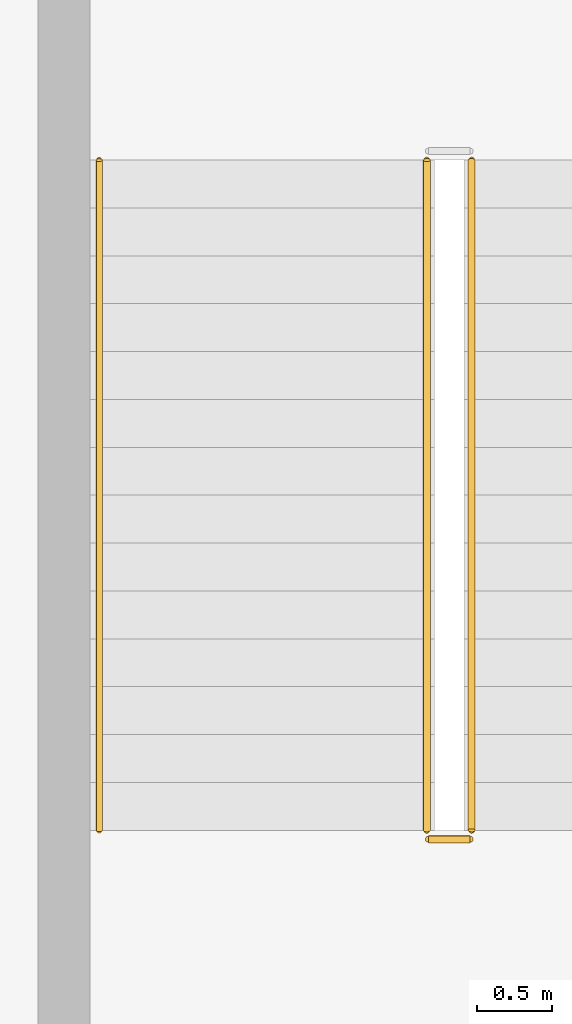
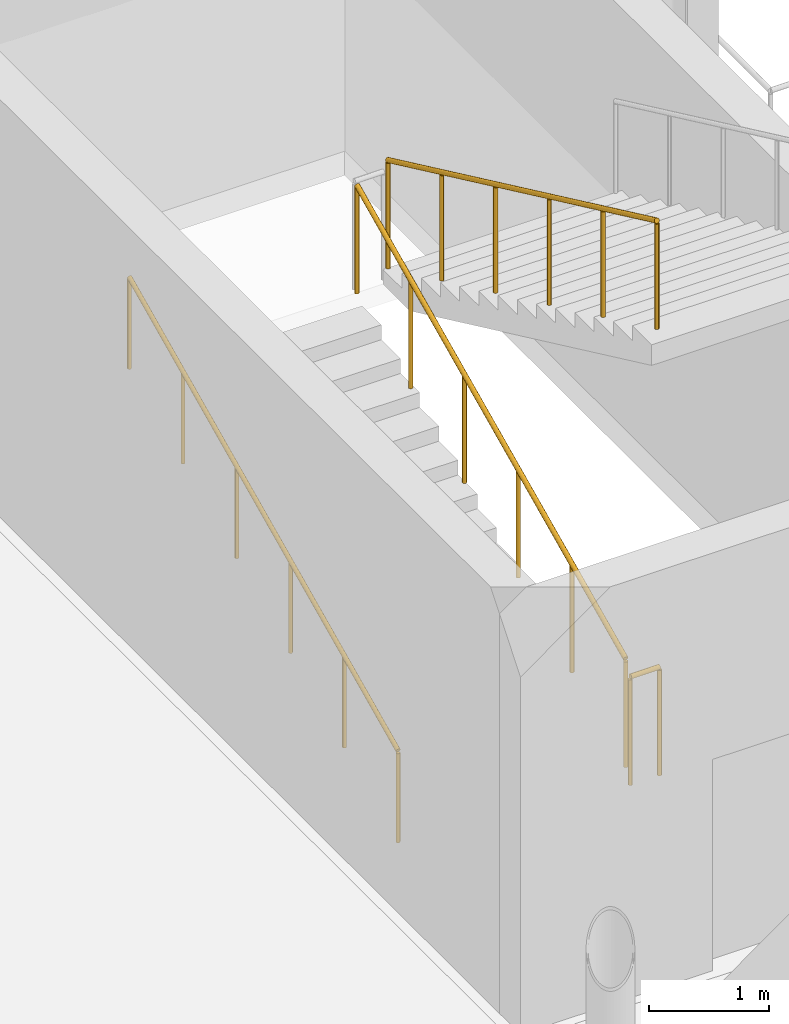
# One storey, part 75 of 91: 4 railings, 1 element without a shape of its own.
"""IFC4 building model written with IfcOpenShell, lengths in metres."""

from ifc_helpers import new_model, si_unit, direction, frame, origin, origin_2d, place, context, subcontext, project, spatial, circle, extrude, material, type_object, element, aggregate, save


model = new_model("IFC4")

# Units and contexts
model_context = context("Model", 3, precision=1e-05, world=origin(), true_north=direction((0.0, 1.0)))
body_context = subcontext(model_context, "Body", "Model", "MODEL_VIEW")
ifc_project = project(units=[si_unit("LENGTHUNIT", "METRE"), si_unit("AREAUNIT", "SQUARE_METRE"), si_unit("VOLUMEUNIT", "CUBIC_METRE"), si_unit("PLANEANGLEUNIT", "RADIAN"), si_unit("MASSUNIT", "GRAM", prefix="KILO")], contexts=[model_context])

# Site, building, storey
site_placement = place(None, origin())
site = spatial("IfcSite", under=ifc_project, at=site_placement, CompositionType="ELEMENT")
building_placement = place(site_placement, origin())
building = spatial("IfcBuilding", under=site, at=building_placement, Name="Kolvaren Corner Interchange", CompositionType="ELEMENT")
storey_placement = place(building_placement, frame((0.0, 0.0, 6.0)))
storey = spatial("IfcBuildingStorey", under=building, at=storey_placement, Name="L02", CompositionType="ELEMENT", Elevation=6.0)

# Railing
ifc_material_1 = material(Name="Powder-Coated Steel Stairwell Guardrail", Category="steel")
railing_type_1 = type_object("IfcRailingType", Name="RLT-STAIR-GRD1120", PredefinedType="GUARDRAIL", material=ifc_material_1)
railing_1_placement = place(storey_placement, frame((62.610107421875, 29.090087890625, 0.0)))
element("IfcRailing", 1, at=railing_1_placement, inside=storey, type_object=railing_type_1, Name="Core C3 West Concourse Transfer Stair L02 Landing Edge Guardrail", PredefinedType="GUARDRAIL", context=body_context, shape_type="SweptSolid", body=[
    extrude(circle(Radius=0.02392578125, at=origin_2d()), frame((0.0, 0.0, 1.09619140625), z_axis=(1.0, 0.0, 0.0), x_axis=(0.0, 1.0, 0.0)), (0.0, 0.0, 1.0), 0.27978515625),
    extrude(circle(Radius=0.02001953125, at=origin_2d()), origin(), (0.0, 0.0, 1.0), 1.072021484375),
    extrude(circle(Radius=0.02001953125, at=origin_2d()), frame((0.27978515625, 0.0, 0.0)), (0.0, 0.0, 1.0), 1.072021484375),
])

# Stair, railings
ifc_material_2 = material(Name="Concrete C35/45", Category="concrete")
stair_type = type_object("IfcStairType", Name="ST-TR-2300", PredefinedType="HALF_TURN_STAIR", material=ifc_material_2)
stair_placement = place(storey_placement, origin())
stair = element("IfcStair", 2, at=stair_placement, inside=storey, type_object=stair_type, Name="Core C3 West Concourse Transfer Stair L02 to L03 Stair", PredefinedType="HALF_TURN_STAIR")
railing_2_placement = place(storey_placement, frame((62.60009765625, 29.14990234375, 0.14990234375)))
railing_2 = element("IfcRailing", 3, at=railing_2_placement, type_object=railing_type_1, Name="Core C3 West Concourse Transfer Stair L02 Lower Flight Well Guardrail", PredefinedType="GUARDRAIL", context=body_context, shape_type="SweptSolid", body=[
    extrude(circle(Radius=0.02392578125, at=origin_2d()), frame((0.0, 0.0, 1.09619140625), z_axis=(0.0, 0.905450639465, 0.424451574969), x_axis=(-1.0, 0.0, 0.0)), (0.0, 0.0, 1.0), 4.94775390625),
    extrude(circle(Radius=0.02001953125, at=origin_2d()), origin(), (0.0, 0.0, 1.0), 1.072021484375),
    extrude(circle(Radius=0.02001953125, at=origin_2d()), frame((0.0, 0.89599609375, 0.419921875)), (0.0, 0.0, 1.0), 1.072021484375),
    extrude(circle(Radius=0.02001953125, at=origin_2d()), frame((0.0, 1.7919921875, 0.840087890625)), (0.0, 0.0, 1.0), 1.072021484375),
    extrude(circle(Radius=0.02001953125, at=origin_2d()), frame((0.0, 2.68798828125, 1.260009765625)), (0.0, 0.0, 1.0), 1.072021484375),
    extrude(circle(Radius=0.02001953125, at=origin_2d()), frame((0.0, 3.583984375, 1.68017578125)), (0.0, 0.0, 1.0), 1.072021484375),
    extrude(circle(Radius=0.02001953125, at=origin_2d()), frame((0.0, 4.47998046875, 2.10009765625)), (0.0, 0.0, 1.0), 1.072021484375),
])
railing_3_placement = place(storey_placement, frame((62.89990234375, 33.6298828125, 2.39990234375)))
railing_3 = element("IfcRailing", 4, at=railing_3_placement, type_object=railing_type_1, Name="Core C3 West Concourse Transfer Stair L02 Upper Flight Well Guardrail", PredefinedType="GUARDRAIL", context=body_context, shape_type="SweptSolid", body=[
    extrude(circle(Radius=0.02392578125, at=origin_2d()), frame((0.0, 0.0, 1.09619140625), z_axis=(0.0, -0.905450639465, 0.424451574969), x_axis=(1.0, 0.0, 0.0)), (0.0, 0.0, 1.0), 4.94775390625),
    extrude(circle(Radius=0.02001953125, at=origin_2d()), origin(), (0.0, 0.0, 1.0), 1.072021484375),
    extrude(circle(Radius=0.02001953125, at=origin_2d()), frame((0.0, -0.89599609375, 0.419921875)), (0.0, 0.0, 1.0), 1.072021484375),
    extrude(circle(Radius=0.02001953125, at=origin_2d()), frame((0.0, -1.7919921875, 0.840087890625)), (0.0, 0.0, 1.0), 1.072021484375),
    extrude(circle(Radius=0.02001953125, at=origin_2d()), frame((0.0, -2.68798828125, 1.260009765625)), (0.0, 0.0, 1.0), 1.072021484375),
    extrude(circle(Radius=0.02001953125, at=origin_2d()), frame((0.0, -3.583984375, 1.68017578125)), (0.0, 0.0, 1.0), 1.072021484375),
    extrude(circle(Radius=0.02001953125, at=origin_2d()), frame((0.0, -4.47998046875, 2.10009765625)), (0.0, 0.0, 1.0), 1.072021484375),
])
ifc_material_3 = material(Name="Brushed Stainless Steel Stair Handrail", Category="steel")
railing_type_2 = type_object("IfcRailingType", Name="RLT-STAIR-HR950", PredefinedType="HANDRAIL", material=ifc_material_3)
railing_4_placement = place(storey_placement, frame((60.409912109375, 29.14990234375, 0.14990234375)))
railing_4 = element("IfcRailing", 5, at=railing_4_placement, type_object=railing_type_2, Name="Core C3 West Concourse Transfer Stair L02 Lower Flight Wall Handrail", PredefinedType="HANDRAIL", context=body_context, shape_type="SweptSolid", body=[
    extrude(circle(Radius=0.02197265625, at=origin_2d()), frame((0.0, 0.0, 0.927978515625), z_axis=(0.0, 0.905450639465, 0.424451574969), x_axis=(-1.0, 0.0, 0.0)), (0.0, 0.0, 1.0), 4.94775390625),
    extrude(circle(Radius=0.01806640625, at=origin_2d()), origin(), (0.0, 0.0, 1.0), 0.906005859375),
    extrude(circle(Radius=0.01806640625, at=origin_2d()), frame((0.0, 0.89599609375, 0.419921875)), (0.0, 0.0, 1.0), 0.906005859375),
    extrude(circle(Radius=0.01806640625, at=origin_2d()), frame((0.0, 1.7919921875, 0.840087890625)), (0.0, 0.0, 1.0), 0.906005859375),
    extrude(circle(Radius=0.01806640625, at=origin_2d()), frame((0.0, 2.68798828125, 1.260009765625)), (0.0, 0.0, 1.0), 0.906005859375),
    extrude(circle(Radius=0.01806640625, at=origin_2d()), frame((0.0, 3.583984375, 1.68017578125)), (0.0, 0.0, 1.0), 0.906005859375),
    extrude(circle(Radius=0.01806640625, at=origin_2d()), frame((0.0, 4.47998046875, 2.10009765625)), (0.0, 0.0, 1.0), 0.906005859375),
])
aggregate(stair, [railing_2, railing_3, railing_4])

save(model, "model.ifc")
